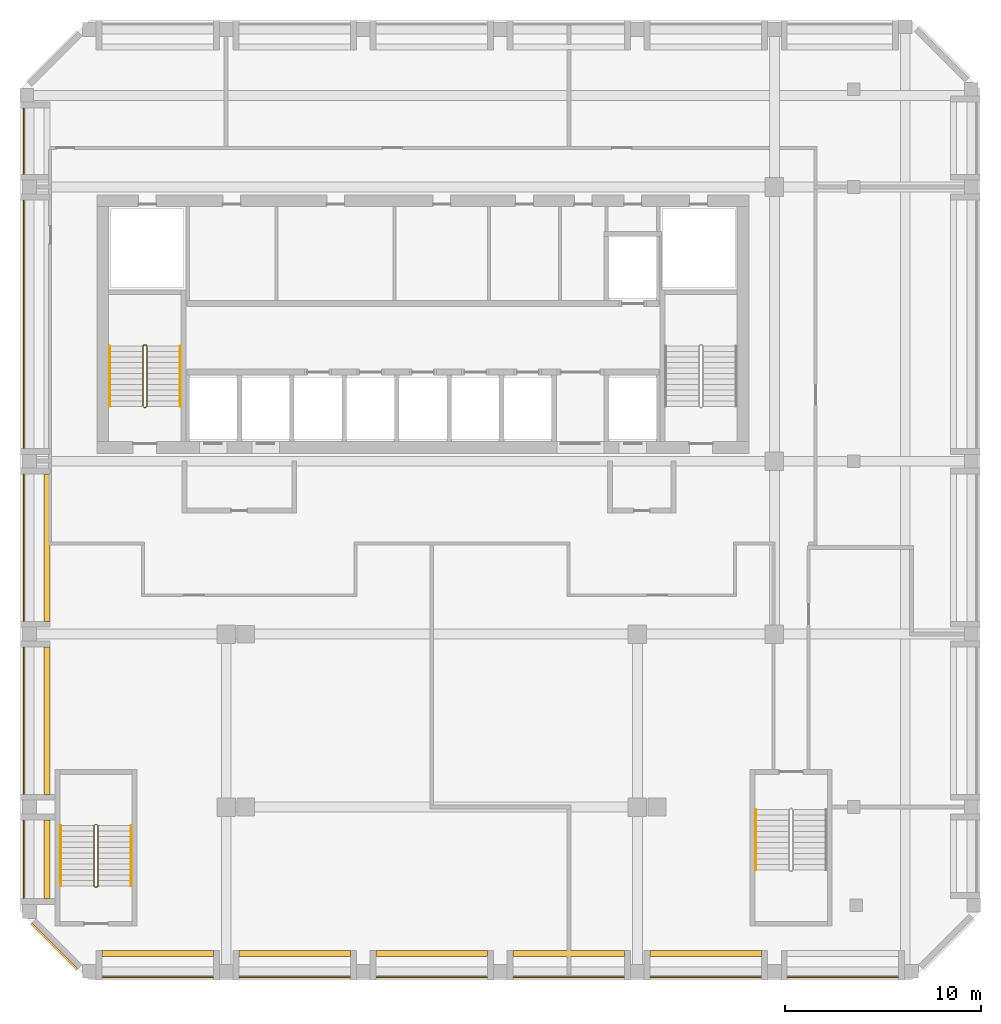
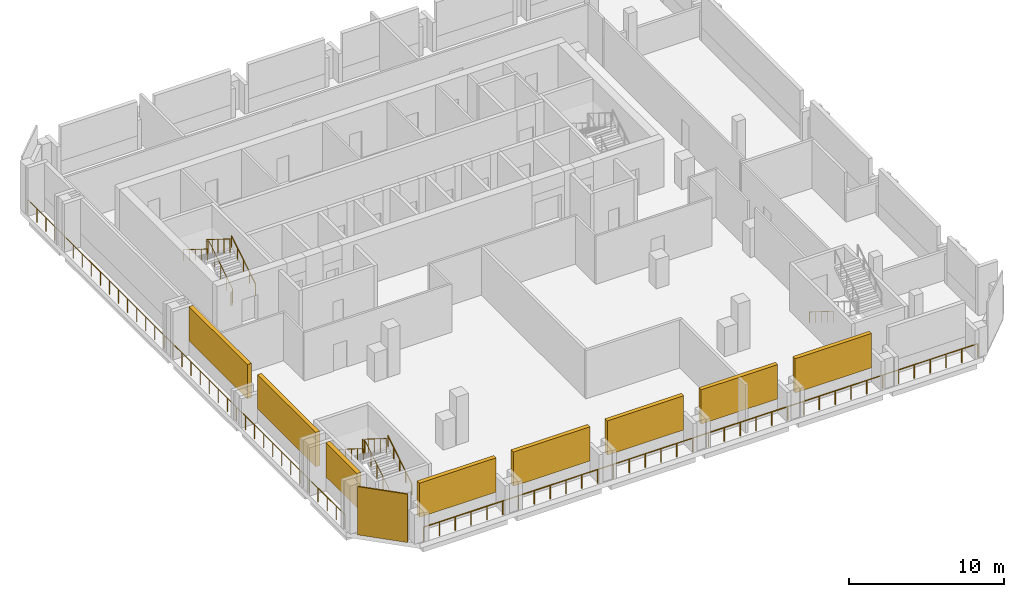
# One storey, part 6 of 7: 9 railings, 9 shading devices.
"""IFC4 building model written with IfcOpenShell, lengths in metres."""

import ifcopenshell
import ifcopenshell.guid

model = None  # the IFC model being written
_history = None  # IfcOwnerHistory: only IFC2X3 demands one
_inside = {}  # id of a spatial element -> (the spatial element, [elements in it])
_under = {}  # id of a project, library or spatial element -> (it, [spatial elements below it])
_declared = {}  # id of a project -> (the project, [libraries it declares])
_typed = {}  # id of a type object -> (the type object, [elements of that type])
_made_of = {}  # id of a material, layer set ... -> (it, [elements and type objects made of it])


def new_model(schema):
    """Start an empty IFC model of exactly this schema.

    Asked for "IFC4X3", IfcOpenShell would pick the latest addendum, in which some entities
    have other attributes; the version numbers below select the first issue.
    IFC2X3 requires an IfcOwnerHistory on every rooted entity: one is made here for all.
    """
    global model, _history
    if schema == "IFC4X3":
        model = ifcopenshell.file(schema_version=(4, 3, 0, 0))
    else:
        model = ifcopenshell.file(schema=schema)
    _inside.clear()
    _under.clear()
    _declared.clear()
    _typed.clear()
    _made_of.clear()
    _history = None
    if model.schema == "IFC2X3":
        org = make("IfcOrganization", Name="unknown")
        user = make(
            "IfcPersonAndOrganization",
            ThePerson=make("IfcPerson", FamilyName="unknown"),
            TheOrganization=org,
        )
        app = make(
            "IfcApplication",
            ApplicationDeveloper=org,
            Version="unknown",
            ApplicationFullName="unknown",
            ApplicationIdentifier="unknown",
        )
        _history = make(
            "IfcOwnerHistory",
            OwningUser=user,
            OwningApplication=app,
            ChangeAction="ADDED",
            CreationDate=0,
        )
    return model


def make(cls, **values):
    """One entity of the class cls with the attributes given. An attribute that is None is left unset."""
    return model.create_entity(
        cls, **{name: value for name, value in values.items() if value is not None}
    )


def rooted(cls, **values):
    """An entity with a GlobalId (a new one), such as an element, a storey or a relation."""
    return make(cls, GlobalId=ifcopenshell.guid.new(), OwnerHistory=_history, **values)


def si_unit(unit_type, name, prefix=None):
    """IfcSIUnit, for example si_unit("LENGTHUNIT", "METRE", prefix="MILLI")."""
    return make("IfcSIUnit", UnitType=unit_type, Prefix=prefix, Name=name)


def assignment(units):
    """IfcUnitAssignment: the units of a project."""
    return None if units is None else make("IfcUnitAssignment", Units=units)


def point(xyz):
    """IfcCartesianPoint."""
    return None if xyz is None else make("IfcCartesianPoint", Coordinates=xyz)


def direction(xyz):
    """IfcDirection."""
    return None if xyz is None else make("IfcDirection", DirectionRatios=xyz)


def frame(location, z_axis=None, x_axis=None):
    """IfcAxis2Placement3D, a coordinate frame: its origin and axes. An axis left out is left unset."""
    return make(
        "IfcAxis2Placement3D",
        Location=point(location),
        Axis=direction(z_axis),
        RefDirection=direction(x_axis),
    )


def frame_2d(location, x_axis=None):
    """IfcAxis2Placement2D, a coordinate frame in the plane: its origin and x axis."""
    return make(
        "IfcAxis2Placement2D", Location=point(location), RefDirection=direction(x_axis)
    )


def origin():
    """The frame at (0, 0, 0) with its axes left unset."""
    return frame((0.0, 0.0, 0.0))


def origin_2d():
    """The frame at (0, 0) in the plane with its x axis left unset."""
    return frame_2d((0.0, 0.0))


def place(relative_to, where):
    """IfcLocalPlacement: puts the frame where relative to a parent placement (None: the world)."""
    return make(
        "IfcLocalPlacement", PlacementRelTo=relative_to, RelativePlacement=where
    )


def context(
    kind, dimensions, precision=None, world=None, true_north=None, identifier=None
):
    """IfcGeometricRepresentationContext, for example the 3D "Model" context."""
    return make(
        "IfcGeometricRepresentationContext",
        ContextIdentifier=identifier,
        ContextType=kind,
        CoordinateSpaceDimension=dimensions,
        Precision=precision,
        WorldCoordinateSystem=world,
        TrueNorth=true_north,
    )


def subcontext(parent, identifier, kind, view, scale=None):
    """IfcGeometricRepresentationSubContext, for example "Body" below "Model"."""
    return make(
        "IfcGeometricRepresentationSubContext",
        ContextIdentifier=identifier,
        ContextType=kind,
        ParentContext=parent,
        TargetScale=scale,
        TargetView=view,
    )


def project(units=None, contexts=None):
    """IfcProject with its units and contexts."""
    return rooted(
        "IfcProject",
        Name="project",
        RepresentationContexts=contexts,
        UnitsInContext=assignment(units),
    )


def spatial(cls, under=None, at=None, **own):
    """A site, building, storey or space (cls), placed at a placement, below another one or the project."""
    s = rooted(cls, ObjectPlacement=at, **own)
    if under is not None:
        _under.setdefault(under.id(), (under, []))[1].append(s)
    return s


def profile(cls, at=None, kind="AREA", **sizes):
    """A parametric profile (cls). Its sizes go by their IFC names, for example OverallWidth=200.0."""
    return make(cls, ProfileType=kind, Position=at, **sizes)


def rectangle(**sizes):
    """IfcRectangleProfileDef."""
    return profile("IfcRectangleProfileDef", **sizes)


def circle(**sizes):
    """IfcCircleProfileDef."""
    return profile("IfcCircleProfileDef", **sizes)


def extrude(swept, where, along, depth):
    """IfcExtrudedAreaSolid: the profile swept, set in the frame where, extruded along a direction by depth."""
    return make(
        "IfcExtrudedAreaSolid",
        SweptArea=swept,
        Position=where,
        ExtrudedDirection=direction(along),
        Depth=depth,
    )


def shape(context_of_items, identifier, shape_type, items):
    """IfcShapeRepresentation: the items that make up one representation, for example the "Body"."""
    return make(
        "IfcShapeRepresentation",
        ContextOfItems=context_of_items,
        RepresentationIdentifier=identifier,
        RepresentationType=shape_type,
        Items=items,
    )


def source(mapping_origin, context_of_items, identifier, shape_type, items):
    """IfcRepresentationMap: a shape defined once, which mapped items show again and again."""
    return make(
        "IfcRepresentationMap",
        MappingOrigin=mapping_origin,
        MappedRepresentation=shape(context_of_items, identifier, shape_type, items),
    )


def transform(
    local_origin,
    x_axis=None,
    y_axis=None,
    z_axis=None,
    scale=None,
    scale2=None,
    scale3=None,
    uniform=True,
):
    """IfcCartesianTransformationOperator3D, or its non-uniform kind. x_axis, y_axis, z_axis: its Axis1, 2, 3."""
    if uniform:
        return make(
            "IfcCartesianTransformationOperator3D",
            Axis1=direction(x_axis),
            Axis2=direction(y_axis),
            LocalOrigin=point(local_origin),
            Scale=scale,
            Axis3=direction(z_axis),
        )
    return make(
        "IfcCartesianTransformationOperator3DnonUniform",
        Axis1=direction(x_axis),
        Axis2=direction(y_axis),
        LocalOrigin=point(local_origin),
        Scale=scale,
        Axis3=direction(z_axis),
        Scale2=scale2,
        Scale3=scale3,
    )


def mapped(mapping_source, mapping_target):
    """IfcMappedItem: shows the shape of a source again, moved by a transform."""
    return make(
        "IfcMappedItem", MappingSource=mapping_source, MappingTarget=mapping_target
    )


def material(Name=None, Category=None):
    """IfcMaterial."""
    return make("IfcMaterial", Name=Name, Category=Category)


def layer(
    of_material, thickness, ventilated=None, Name=None, Category=None, Priority=None
):
    """IfcMaterialLayer: one layer of a wall or slab, of a material (None: an air gap)."""
    return make(
        "IfcMaterialLayer",
        Material=of_material,
        LayerThickness=thickness,
        IsVentilated=ventilated,
        Name=Name,
        Category=Category,
        Priority=Priority,
    )


def layer_set(layers, Name=None):
    """IfcMaterialLayerSet."""
    return make("IfcMaterialLayerSet", MaterialLayers=layers, LayerSetName=Name)


def made_of(thing, what):
    """Note that an element or type object is made of a material, layer set ...; save() writes the relation."""
    if what is not None:
        _made_of.setdefault(what.id(), (what, []))[1].append(thing)
    return thing


def type_object(cls, material=None, **own):
    """A type object (cls), such as IfcWallType, which elements share."""
    return made_of(rooted(cls, **own), material)


def element(
    cls,
    number,
    at=None,
    inside=None,
    cuts=None,
    type_object=None,
    material=None,
    context=None,
    identifier="Body",
    shape_type=None,
    held_by="IfcProductDefinitionShape",
    body=None,
    shapes=None,
    **own,
):
    """One element of the class cls, such as IfcWall. Its Tag is "e" and its number.

    at: its placement. inside: the storey or other place that contains it. cuts: it is an
    opening in that element (IfcRelVoidsElement). A single representation is given by context,
    identifier, shape_type and body (its items); several are given by shapes. held_by: the class
    of the entity that holds the representations. save() writes the other relations.
    """
    e = rooted(cls, Tag="e%d" % number, ObjectPlacement=at, **own)
    if body is not None:
        shapes = [shape(context, identifier, shape_type, body)]
    if shapes is not None:
        e.Representation = make(held_by, Representations=shapes)
    if inside is not None:
        _inside.setdefault(inside.id(), (inside, []))[1].append(e)
    if cuts is not None:
        rooted(
            "IfcRelVoidsElement", RelatingBuildingElement=cuts, RelatedOpeningElement=e
        )
    if type_object is not None:
        _typed.setdefault(type_object.id(), (type_object, []))[1].append(e)
    return made_of(e, material)


def aggregate(whole, parts):
    """IfcRelAggregates: a whole, such as a stair, and the parts it consists of."""
    return rooted("IfcRelAggregates", RelatingObject=whole, RelatedObjects=parts)


def save(model, path):
    """Write the relations noted so far, then the file.

    IfcRelAggregates (storeys below a building ...), IfcRelContainedInSpatialStructure (elements
    in a storey), IfcRelDefinesByType, IfcRelAssociatesMaterial and IfcRelDeclares: one each for
    every whole, place, type object, material and project.
    """
    for whole, parts in _under.values():
        aggregate(whole, parts)
    for where, things in _inside.values():
        rooted(
            "IfcRelContainedInSpatialStructure",
            RelatedElements=things,
            RelatingStructure=where,
        )
    for kind, things in _typed.values():
        rooted("IfcRelDefinesByType", RelatedObjects=things, RelatingType=kind)
    for what, things in _made_of.values():
        rooted("IfcRelAssociatesMaterial", RelatedObjects=things, RelatingMaterial=what)
    for by, libraries in _declared.values():
        rooted("IfcRelDeclares", RelatingContext=by, RelatedDefinitions=libraries)
    model.write(path)


model = new_model("IFC4")

# Units and contexts
model_context = context("Model", 3, precision=1e-05, world=origin(), true_north=direction((0.0, 1.0)))
body_context = subcontext(model_context, "Body", "Model", "MODEL_VIEW")
ifc_project = project(units=[si_unit("LENGTHUNIT", "METRE"), si_unit("AREAUNIT", "SQUARE_METRE"), si_unit("VOLUMEUNIT", "CUBIC_METRE"), si_unit("PLANEANGLEUNIT", "RADIAN"), si_unit("MASSUNIT", "GRAM", prefix="KILO")], contexts=[model_context])

# Site, building, storey
site_placement = place(None, origin())
site = spatial("IfcSite", under=ifc_project, at=site_placement, CompositionType="ELEMENT")
building_placement = place(site_placement, origin())
building = spatial("IfcBuilding", under=site, at=building_placement, Name="Kilnfold Tower and Market Hall", CompositionType="ELEMENT")
storey_placement = place(building_placement, frame((0.0, 0.0, 262.800048828125)))
storey = spatial("IfcBuildingStorey", under=building, at=storey_placement, Name="L64 Plant Transfer Level", CompositionType="ELEMENT", Elevation=262.800048828125)

# Railings
ifc_material_1 = material(Name="Stainless steel 316", Category="steel")
railing_type_1 = type_object("IfcRailingType", Name="CORE STAIR GUARD 1100", PredefinedType="GUARDRAIL", material=ifc_material_1)
railing_1_placement = place(storey_placement, frame((-13.199951171875, 10.75, 0.0)))
element("IfcRailing", 1, at=railing_1_placement, inside=storey, type_object=railing_type_1, Name="L64 Plant Transfer Level ST1 stair guard 1", PredefinedType="GUARDRAIL", context=body_context, shape_type="SweptSolid", body=[
    extrude(circle(Radius=0.02392578125, at=origin_2d()), frame((0.0, 0.0, 1.076171875), z_axis=(1.0, 0.0, 0.0), x_axis=(0.0, 1.0, 0.0)), (0.0, 0.0, 1.0), 0.099853515625),
    extrude(circle(Radius=0.02392578125, at=origin_2d()), frame((0.099853515625, 0.0, 1.076171875), z_axis=(0.265065253269, 0.265065253269, 0.927081885822), x_axis=(-0.707106781187, 0.707106781187, 0.0)), (0.0, 0.0, 1.0), 0.188720703125),
    extrude(circle(Radius=0.02392578125, at=origin_2d()), frame((0.14990234375, 0.050048828125, 1.2509765625), z_axis=(0.0, 0.848009633417, 0.529980812513), x_axis=(-1.0, 0.0, 0.0)), (0.0, 0.0, 1.0), 3.6318359375),
    extrude(circle(Radius=0.02392578125, at=origin_2d()), frame((0.14990234375, 3.1298828125, 3.17578125), z_axis=(-0.707106781187, 0.707106781187, 0.0), x_axis=(-0.707106781187, -0.707106781187, 0.0)), (0.0, 0.0, 1.0), 0.07080078125),
    extrude(circle(Radius=0.02392578125, at=origin_2d()), frame((0.099853515625, 3.179931640625, 3.17578125), z_axis=(-1.0, 0.0, 0.0), x_axis=(0.0, -1.0, 0.0)), (0.0, 0.0, 1.0), 0.099853515625),
    extrude(circle(Radius=0.02392578125, at=origin_2d()), frame((0.0, 3.179931640625, 3.17578125), z_axis=(-0.265065253269, -0.265065253269, 0.927081885822), x_axis=(0.707106781187, -0.707106781187, 0.0)), (0.0, 0.0, 1.0), 0.188720703125),
    extrude(circle(Radius=0.02392578125, at=origin_2d()), frame((-0.050048828125, 3.1298828125, 3.35107421875), z_axis=(0.0, -0.847979421464, 0.530029150871), x_axis=(1.0, 0.0, 0.0)), (0.0, 0.0, 1.0), 3.632080078125),
    extrude(circle(Radius=0.02099609375, at=origin_2d()), origin(), (0.0, 0.0, 1.0), 1.052001953125),
    extrude(circle(Radius=0.02099609375, at=origin_2d()), frame((0.099853515625, 0.0, 0.0)), (0.0, 0.0, 1.0), 1.052001953125),
    extrude(circle(Radius=0.02099609375, at=origin_2d()), frame((0.14990234375, 0.050048828125, 0.175048828125)), (0.0, 0.0, 1.0), 1.052001953125),
    extrude(circle(Radius=0.02099609375, at=origin_2d()), frame((0.14990234375, 0.820068359375, 0.65625)), (0.0, 0.0, 1.0), 1.052001953125),
    extrude(circle(Radius=0.02099609375, at=origin_2d()), frame((0.14990234375, 1.58984375, 1.137451171875)), (0.0, 0.0, 1.0), 1.052001953125),
    extrude(circle(Radius=0.02099609375, at=origin_2d()), frame((0.14990234375, 2.35986328125, 1.61865234375)), (0.0, 0.0, 1.0), 1.052001953125),
    extrude(circle(Radius=0.02099609375, at=origin_2d()), frame((0.14990234375, 3.1298828125, 2.099853515625)), (0.0, 0.0, 1.0), 1.052001953125),
    extrude(circle(Radius=0.02099609375, at=origin_2d()), frame((0.099853515625, 3.179931640625, 2.099853515625)), (0.0, 0.0, 1.0), 1.052001953125),
    extrude(circle(Radius=0.02099609375, at=origin_2d()), frame((0.0, 3.179931640625, 2.099853515625)), (0.0, 0.0, 1.0), 1.052001953125),
    extrude(circle(Radius=0.02099609375, at=origin_2d()), frame((-0.050048828125, 3.1298828125, 2.27490234375)), (0.0, 0.0, 1.0), 1.052001953125),
    extrude(circle(Radius=0.02099609375, at=origin_2d()), frame((-0.050048828125, 2.35986328125, 2.756103515625)), (0.0, 0.0, 1.0), 1.052001953125),
    extrude(circle(Radius=0.02099609375, at=origin_2d()), frame((-0.050048828125, 1.58984375, 3.2373046875)), (0.0, 0.0, 1.0), 1.052001953125),
    extrude(circle(Radius=0.02099609375, at=origin_2d()), frame((-0.050048828125, 0.820068359375, 3.71875)), (0.0, 0.0, 1.0), 1.052001953125),
    extrude(circle(Radius=0.02099609375, at=origin_2d()), frame((-0.050048828125, 0.050048828125, 4.199951171875)), (0.0, 0.0, 1.0), 1.052001953125),
])
railing_2_placement = place(storey_placement, frame((-15.699951171875, -13.75, 0.0)))
element("IfcRailing", 2, at=railing_2_placement, inside=storey, type_object=railing_type_1, Name="L64 Plant Transfer Level ST3 stair guard 1", PredefinedType="GUARDRAIL", context=body_context, shape_type="SweptSolid", body=[
    extrude(circle(Radius=0.02392578125, at=origin_2d()), frame((0.0, 0.0, 1.076171875), z_axis=(1.0, 0.0, 0.0), x_axis=(0.0, 1.0, 0.0)), (0.0, 0.0, 1.0), 0.099853515625),
    extrude(circle(Radius=0.02392578125, at=origin_2d()), frame((0.099853515625, 0.0, 1.076171875), z_axis=(0.265065253269, 0.265065253269, 0.927081885822), x_axis=(-0.707106781187, 0.707106781187, 0.0)), (0.0, 0.0, 1.0), 0.188720703125),
    extrude(circle(Radius=0.02392578125, at=origin_2d()), frame((0.14990234375, 0.050048828125, 1.2509765625), z_axis=(0.0, 0.848009633417, 0.529980812513), x_axis=(-1.0, 0.0, 0.0)), (0.0, 0.0, 1.0), 3.6318359375),
    extrude(circle(Radius=0.02392578125, at=origin_2d()), frame((0.14990234375, 3.1298828125, 3.17578125), z_axis=(-0.707106781187, 0.707106781187, 0.0), x_axis=(-0.707106781187, -0.707106781187, 0.0)), (0.0, 0.0, 1.0), 0.07080078125),
    extrude(circle(Radius=0.02392578125, at=origin_2d()), frame((0.099853515625, 3.179931640625, 3.17578125), z_axis=(-1.0, 0.0, 0.0), x_axis=(0.0, -1.0, 0.0)), (0.0, 0.0, 1.0), 0.099853515625),
    extrude(circle(Radius=0.02392578125, at=origin_2d()), frame((0.0, 3.179931640625, 3.17578125), z_axis=(-0.265065253269, -0.265065253269, 0.927081885822), x_axis=(0.707106781187, -0.707106781187, 0.0)), (0.0, 0.0, 1.0), 0.188720703125),
    extrude(circle(Radius=0.02392578125, at=origin_2d()), frame((-0.050048828125, 3.1298828125, 3.35107421875), z_axis=(0.0, -0.847979421464, 0.530029150871), x_axis=(1.0, 0.0, 0.0)), (0.0, 0.0, 1.0), 3.632080078125),
    extrude(circle(Radius=0.02099609375, at=origin_2d()), origin(), (0.0, 0.0, 1.0), 1.052001953125),
    extrude(circle(Radius=0.02099609375, at=origin_2d()), frame((0.099853515625, 0.0, 0.0)), (0.0, 0.0, 1.0), 1.052001953125),
    extrude(circle(Radius=0.02099609375, at=origin_2d()), frame((0.14990234375, 0.050048828125, 0.175048828125)), (0.0, 0.0, 1.0), 1.052001953125),
    extrude(circle(Radius=0.02099609375, at=origin_2d()), frame((0.14990234375, 0.820068359375, 0.65625)), (0.0, 0.0, 1.0), 1.052001953125),
    extrude(circle(Radius=0.02099609375, at=origin_2d()), frame((0.14990234375, 1.58984375, 1.137451171875)), (0.0, 0.0, 1.0), 1.052001953125),
    extrude(circle(Radius=0.02099609375, at=origin_2d()), frame((0.14990234375, 2.35986328125, 1.61865234375)), (0.0, 0.0, 1.0), 1.052001953125),
    extrude(circle(Radius=0.02099609375, at=origin_2d()), frame((0.14990234375, 3.1298828125, 2.099853515625)), (0.0, 0.0, 1.0), 1.052001953125),
    extrude(circle(Radius=0.02099609375, at=origin_2d()), frame((0.099853515625, 3.179931640625, 2.099853515625)), (0.0, 0.0, 1.0), 1.052001953125),
    extrude(circle(Radius=0.02099609375, at=origin_2d()), frame((0.0, 3.179931640625, 2.099853515625)), (0.0, 0.0, 1.0), 1.052001953125),
    extrude(circle(Radius=0.02099609375, at=origin_2d()), frame((-0.050048828125, 3.1298828125, 2.27490234375)), (0.0, 0.0, 1.0), 1.052001953125),
    extrude(circle(Radius=0.02099609375, at=origin_2d()), frame((-0.050048828125, 2.35986328125, 2.756103515625)), (0.0, 0.0, 1.0), 1.052001953125),
    extrude(circle(Radius=0.02099609375, at=origin_2d()), frame((-0.050048828125, 1.58984375, 3.2373046875)), (0.0, 0.0, 1.0), 1.052001953125),
    extrude(circle(Radius=0.02099609375, at=origin_2d()), frame((-0.050048828125, 0.820068359375, 3.71875)), (0.0, 0.0, 1.0), 1.052001953125),
    extrude(circle(Radius=0.02099609375, at=origin_2d()), frame((-0.050048828125, 0.050048828125, 4.199951171875)), (0.0, 0.0, 1.0), 1.052001953125),
])
ifc_material_2 = material(Name="Stainless steel 316", Category="steel")
railing_type_2 = type_object("IfcRailingType", Name="CORE STAIR HANDRAIL 900", PredefinedType="HANDRAIL", material=ifc_material_2)
railing_3_placement = place(storey_placement, frame((-11.35009765625, 10.800048828125, 0.175048828125)))
element("IfcRailing", 3, at=railing_3_placement, inside=storey, type_object=railing_type_2, Name="L64 Plant Transfer Level ST1 stair handrail 1", PredefinedType="HANDRAIL", context=body_context, shape_type="SweptSolid", body=[
    extrude(circle(Radius=0.02392578125, at=origin_2d()), frame((0.0, 0.0, 0.8759765625), z_axis=(0.0, 0.848009633417, 0.529980812513), x_axis=(-1.0, 0.0, 0.0)), (0.0, 0.0, 1.0), 3.6318359375),
    extrude(circle(Radius=0.02099609375, at=origin_2d()), origin(), (0.0, 0.0, 1.0), 0.851806640625),
    extrude(circle(Radius=0.02099609375, at=origin_2d()), frame((0.0, 0.77001953125, 0.481201171875)), (0.0, 0.0, 1.0), 0.851806640625),
    extrude(circle(Radius=0.02099609375, at=origin_2d()), frame((0.0, 1.5400390625, 0.96240234375)), (0.0, 0.0, 1.0), 0.851806640625),
    extrude(circle(Radius=0.02099609375, at=origin_2d()), frame((0.0, 2.309814453125, 1.443603515625)), (0.0, 0.0, 1.0), 0.851806640625),
    extrude(circle(Radius=0.02099609375, at=origin_2d()), frame((0.0, 3.079833984375, 1.9248046875)), (0.0, 0.0, 1.0), 0.851806640625),
])
railing_4_placement = place(storey_placement, frame((-14.949951171875, 13.8798828125, 2.27490234375)))
element("IfcRailing", 4, at=railing_4_placement, inside=storey, type_object=railing_type_2, Name="L64 Plant Transfer Level ST1 stair handrail 2", PredefinedType="HANDRAIL", context=body_context, shape_type="SweptSolid", body=[
    extrude(circle(Radius=0.02392578125, at=origin_2d()), frame((0.0, 0.0, 0.8759765625), z_axis=(0.0, -0.847979421464, 0.530029150871), x_axis=(1.0, 0.0, 0.0)), (0.0, 0.0, 1.0), 3.632080078125),
    extrude(circle(Radius=0.02099609375, at=origin_2d()), origin(), (0.0, 0.0, 1.0), 0.851806640625),
    extrude(circle(Radius=0.02099609375, at=origin_2d()), frame((0.0, -0.77001953125, 0.481201171875)), (0.0, 0.0, 1.0), 0.851806640625),
    extrude(circle(Radius=0.02099609375, at=origin_2d()), frame((0.0, -1.5400390625, 0.96240234375)), (0.0, 0.0, 1.0), 0.851806640625),
    extrude(circle(Radius=0.02099609375, at=origin_2d()), frame((0.0, -2.309814453125, 1.44384765625)), (0.0, 0.0, 1.0), 0.851806640625),
    extrude(circle(Radius=0.02099609375, at=origin_2d()), frame((0.0, -3.079833984375, 1.925048828125)), (0.0, 0.0, 1.0), 0.851806640625),
])
railing_5_placement = place(storey_placement, frame((-13.85009765625, -13.699951171875, 0.175048828125)))
element("IfcRailing", 5, at=railing_5_placement, inside=storey, type_object=railing_type_2, Name="L64 Plant Transfer Level ST3 stair handrail 1", PredefinedType="HANDRAIL", context=body_context, shape_type="SweptSolid", body=[
    extrude(circle(Radius=0.02392578125, at=origin_2d()), frame((0.0, 0.0, 0.8759765625), z_axis=(0.0, 0.848009633417, 0.529980812513), x_axis=(-1.0, 0.0, 0.0)), (0.0, 0.0, 1.0), 3.6318359375),
    extrude(circle(Radius=0.02099609375, at=origin_2d()), origin(), (0.0, 0.0, 1.0), 0.851806640625),
    extrude(circle(Radius=0.02099609375, at=origin_2d()), frame((0.0, 0.77001953125, 0.481201171875)), (0.0, 0.0, 1.0), 0.851806640625),
    extrude(circle(Radius=0.02099609375, at=origin_2d()), frame((0.0, 1.5400390625, 0.96240234375)), (0.0, 0.0, 1.0), 0.851806640625),
    extrude(circle(Radius=0.02099609375, at=origin_2d()), frame((0.0, 2.309814453125, 1.443603515625)), (0.0, 0.0, 1.0), 0.851806640625),
    extrude(circle(Radius=0.02099609375, at=origin_2d()), frame((0.0, 3.079833984375, 1.9248046875)), (0.0, 0.0, 1.0), 0.851806640625),
])
railing_6_placement = place(storey_placement, frame((-17.449951171875, -10.6201171875, 2.27490234375)))
element("IfcRailing", 6, at=railing_6_placement, inside=storey, type_object=railing_type_2, Name="L64 Plant Transfer Level ST3 stair handrail 2", PredefinedType="HANDRAIL", context=body_context, shape_type="SweptSolid", body=[
    extrude(circle(Radius=0.02392578125, at=origin_2d()), frame((0.0, 0.0, 0.8759765625), z_axis=(0.0, -0.847979421464, 0.530029150871), x_axis=(1.0, 0.0, 0.0)), (0.0, 0.0, 1.0), 3.632080078125),
    extrude(circle(Radius=0.02099609375, at=origin_2d()), origin(), (0.0, 0.0, 1.0), 0.851806640625),
    extrude(circle(Radius=0.02099609375, at=origin_2d()), frame((0.0, -0.77001953125, 0.481201171875)), (0.0, 0.0, 1.0), 0.851806640625),
    extrude(circle(Radius=0.02099609375, at=origin_2d()), frame((0.0, -1.5400390625, 0.96240234375)), (0.0, 0.0, 1.0), 0.851806640625),
    extrude(circle(Radius=0.02099609375, at=origin_2d()), frame((0.0, -2.309814453125, 1.44384765625)), (0.0, 0.0, 1.0), 0.851806640625),
    extrude(circle(Radius=0.02099609375, at=origin_2d()), frame((0.0, -3.079833984375, 1.925048828125)), (0.0, 0.0, 1.0), 0.851806640625),
])
railing_7_placement = place(storey_placement, frame((18.050048828125, -9.800048828125, 0.175048828125)))
element("IfcRailing", 7, at=railing_7_placement, inside=storey, type_object=railing_type_2, Name="L64 Plant Transfer Level ST4 stair handrail 1", PredefinedType="HANDRAIL", context=body_context, shape_type="SweptSolid", body=[
    extrude(circle(Radius=0.02392578125, at=origin_2d()), frame((0.0, 0.0, 0.8759765625), z_axis=(0.0, -0.848009633417, 0.529980812513), x_axis=(1.0, 0.0, 0.0)), (0.0, 0.0, 1.0), 3.6318359375),
    extrude(circle(Radius=0.02099609375, at=origin_2d()), origin(), (0.0, 0.0, 1.0), 0.851806640625),
    extrude(circle(Radius=0.02099609375, at=origin_2d()), frame((0.0, -0.77001953125, 0.481201171875)), (0.0, 0.0, 1.0), 0.851806640625),
    extrude(circle(Radius=0.02099609375, at=origin_2d()), frame((0.0, -1.5400390625, 0.96240234375)), (0.0, 0.0, 1.0), 0.851806640625),
    extrude(circle(Radius=0.02099609375, at=origin_2d()), frame((0.0, -2.309814453125, 1.443603515625)), (0.0, 0.0, 1.0), 0.851806640625),
    extrude(circle(Radius=0.02099609375, at=origin_2d()), frame((0.0, -3.079833984375, 1.9248046875)), (0.0, 0.0, 1.0), 0.851806640625),
])
ifc_material_3 = material(Name="Stainless steel and laminated glass", Category="steel")
railing_type_3 = type_object("IfcRailingType", Name="GUARD 1100", PredefinedType="GUARDRAIL", material=ifc_material_3)
railing_8_placement = place(storey_placement, frame((-15.64990234375, -18.35009765625, 0.0)))
element("IfcRailing", 8, at=railing_8_placement, inside=storey, type_object=railing_type_3, Name="Guard plant edge S L64", PredefinedType="GUARDRAIL", context=body_context, shape_type="SweptSolid", body=[
    extrude(circle(Radius=0.02490234375, at=origin_2d()), frame((0.0, 0.0, 1.0751953125), z_axis=(1.0, 0.0, 0.0), x_axis=(0.0, 1.0, 0.0)), (0.0, 0.0, 1.0), 41.2998046875),
    extrude(circle(Radius=0.02490234375, at=origin_2d()), origin(), (0.0, 0.0, 1.0), 1.050048828125),
    extrude(circle(Radius=0.02490234375, at=origin_2d()), frame((1.179931640625, 0.0, 0.0)), (0.0, 0.0, 1.0), 1.050048828125),
    extrude(circle(Radius=0.02490234375, at=origin_2d()), frame((2.360107421875, 0.0, 0.0)), (0.0, 0.0, 1.0), 1.050048828125),
    extrude(circle(Radius=0.02490234375, at=origin_2d()), frame((3.5400390625, 0.0, 0.0)), (0.0, 0.0, 1.0), 1.050048828125),
    extrude(circle(Radius=0.02490234375, at=origin_2d()), frame((4.719970703125, 0.0, 0.0)), (0.0, 0.0, 1.0), 1.050048828125),
    extrude(circle(Radius=0.02490234375, at=origin_2d()), frame((5.89990234375, 0.0, 0.0)), (0.0, 0.0, 1.0), 1.050048828125),
    extrude(circle(Radius=0.02490234375, at=origin_2d()), frame((7.080078125, 0.0, 0.0)), (0.0, 0.0, 1.0), 1.050048828125),
    extrude(circle(Radius=0.02490234375, at=origin_2d()), frame((8.260009765625, 0.0, 0.0)), (0.0, 0.0, 1.0), 1.050048828125),
    extrude(circle(Radius=0.02490234375, at=origin_2d()), frame((9.43994140625, 0.0, 0.0)), (0.0, 0.0, 1.0), 1.050048828125),
    extrude(circle(Radius=0.02490234375, at=origin_2d()), frame((10.619873046875, 0.0, 0.0)), (0.0, 0.0, 1.0), 1.050048828125),
    extrude(circle(Radius=0.02490234375, at=origin_2d()), frame((11.800048828125, 0.0, 0.0)), (0.0, 0.0, 1.0), 1.050048828125),
    extrude(circle(Radius=0.02490234375, at=origin_2d()), frame((12.97998046875, 0.0, 0.0)), (0.0, 0.0, 1.0), 1.050048828125),
    extrude(circle(Radius=0.02490234375, at=origin_2d()), frame((14.159912109375, 0.0, 0.0)), (0.0, 0.0, 1.0), 1.050048828125),
    extrude(circle(Radius=0.02490234375, at=origin_2d()), frame((15.33984375, 0.0, 0.0)), (0.0, 0.0, 1.0), 1.050048828125),
    extrude(circle(Radius=0.02490234375, at=origin_2d()), frame((16.52001953125, 0.0, 0.0)), (0.0, 0.0, 1.0), 1.050048828125),
    extrude(circle(Radius=0.02490234375, at=origin_2d()), frame((17.699951171875, 0.0, 0.0)), (0.0, 0.0, 1.0), 1.050048828125),
    extrude(circle(Radius=0.02490234375, at=origin_2d()), frame((18.8798828125, 0.0, 0.0)), (0.0, 0.0, 1.0), 1.050048828125),
    extrude(circle(Radius=0.02490234375, at=origin_2d()), frame((20.059814453125, 0.0, 0.0)), (0.0, 0.0, 1.0), 1.050048828125),
    extrude(circle(Radius=0.02490234375, at=origin_2d()), frame((21.239990234375, 0.0, 0.0)), (0.0, 0.0, 1.0), 1.050048828125),
    extrude(circle(Radius=0.02490234375, at=origin_2d()), frame((22.419921875, 0.0, 0.0)), (0.0, 0.0, 1.0), 1.050048828125),
    extrude(circle(Radius=0.02490234375, at=origin_2d()), frame((23.599853515625, 0.0, 0.0)), (0.0, 0.0, 1.0), 1.050048828125),
    extrude(circle(Radius=0.02490234375, at=origin_2d()), frame((24.77978515625, 0.0, 0.0)), (0.0, 0.0, 1.0), 1.050048828125),
    extrude(circle(Radius=0.02490234375, at=origin_2d()), frame((25.9599609375, 0.0, 0.0)), (0.0, 0.0, 1.0), 1.050048828125),
    extrude(circle(Radius=0.02490234375, at=origin_2d()), frame((27.139892578125, 0.0, 0.0)), (0.0, 0.0, 1.0), 1.050048828125),
    extrude(circle(Radius=0.02490234375, at=origin_2d()), frame((28.31982421875, 0.0, 0.0)), (0.0, 0.0, 1.0), 1.050048828125),
    extrude(circle(Radius=0.02490234375, at=origin_2d()), frame((29.499755859375, 0.0, 0.0)), (0.0, 0.0, 1.0), 1.050048828125),
    extrude(circle(Radius=0.02490234375, at=origin_2d()), frame((30.679931640625, 0.0, 0.0)), (0.0, 0.0, 1.0), 1.050048828125),
    extrude(circle(Radius=0.02490234375, at=origin_2d()), frame((31.85986328125, 0.0, 0.0)), (0.0, 0.0, 1.0), 1.050048828125),
    extrude(circle(Radius=0.02490234375, at=origin_2d()), frame((33.039794921875, 0.0, 0.0)), (0.0, 0.0, 1.0), 1.050048828125),
    extrude(circle(Radius=0.02490234375, at=origin_2d()), frame((34.2197265625, 0.0, 0.0)), (0.0, 0.0, 1.0), 1.050048828125),
    extrude(circle(Radius=0.02490234375, at=origin_2d()), frame((35.39990234375, 0.0, 0.0)), (0.0, 0.0, 1.0), 1.050048828125),
    extrude(circle(Radius=0.02490234375, at=origin_2d()), frame((36.579833984375, 0.0, 0.0)), (0.0, 0.0, 1.0), 1.050048828125),
    extrude(circle(Radius=0.02490234375, at=origin_2d()), frame((37.759765625, 0.0, 0.0)), (0.0, 0.0, 1.0), 1.050048828125),
    extrude(circle(Radius=0.02490234375, at=origin_2d()), frame((38.939697265625, 0.0, 0.0)), (0.0, 0.0, 1.0), 1.050048828125),
    extrude(circle(Radius=0.02490234375, at=origin_2d()), frame((40.119873046875, 0.0, 0.0)), (0.0, 0.0, 1.0), 1.050048828125),
    extrude(circle(Radius=0.02490234375, at=origin_2d()), frame((41.2998046875, 0.0, 0.0)), (0.0, 0.0, 1.0), 1.050048828125),
])
railing_9_placement = place(storey_placement, frame((-19.35009765625, 26.331787109375, 0.0)))
element("IfcRailing", 9, at=railing_9_placement, inside=storey, type_object=railing_type_3, Name="Guard plant edge W L64", PredefinedType="GUARDRAIL", context=body_context, shape_type="SweptSolid", body=[
    extrude(circle(Radius=0.02490234375, at=origin_2d()), frame((0.0, 0.0, 1.0751953125), z_axis=(0.0, -1.0, 0.0), x_axis=(1.0, 0.0, 0.0)), (0.0, 0.0, 1.0), 40.981689453125),
    extrude(circle(Radius=0.02490234375, at=origin_2d()), origin(), (0.0, 0.0, 1.0), 1.050048828125),
    extrude(circle(Radius=0.02490234375, at=origin_2d()), frame((0.0, -1.1708984375, 0.0)), (0.0, 0.0, 1.0), 1.050048828125),
    extrude(circle(Radius=0.02490234375, at=origin_2d()), frame((0.0, -2.341796875, 0.0)), (0.0, 0.0, 1.0), 1.050048828125),
    extrude(circle(Radius=0.02490234375, at=origin_2d()), frame((0.0, -3.5126953125, 0.0)), (0.0, 0.0, 1.0), 1.050048828125),
    extrude(circle(Radius=0.02490234375, at=origin_2d()), frame((0.0, -4.68359375, 0.0)), (0.0, 0.0, 1.0), 1.050048828125),
    extrude(circle(Radius=0.02490234375, at=origin_2d()), frame((0.0, -5.8544921875, 0.0)), (0.0, 0.0, 1.0), 1.050048828125),
    extrude(circle(Radius=0.02490234375, at=origin_2d()), frame((0.0, -7.025390625, 0.0)), (0.0, 0.0, 1.0), 1.050048828125),
    extrude(circle(Radius=0.02490234375, at=origin_2d()), frame((0.0, -8.1962890625, 0.0)), (0.0, 0.0, 1.0), 1.050048828125),
    extrude(circle(Radius=0.02490234375, at=origin_2d()), frame((0.0, -9.3671875, 0.0)), (0.0, 0.0, 1.0), 1.050048828125),
    extrude(circle(Radius=0.02490234375, at=origin_2d()), frame((0.0, -10.5380859375, 0.0)), (0.0, 0.0, 1.0), 1.050048828125),
    extrude(circle(Radius=0.02490234375, at=origin_2d()), frame((0.0, -11.708984375, 0.0)), (0.0, 0.0, 1.0), 1.050048828125),
    extrude(circle(Radius=0.02490234375, at=origin_2d()), frame((0.0, -12.8798828125, 0.0)), (0.0, 0.0, 1.0), 1.050048828125),
    extrude(circle(Radius=0.02490234375, at=origin_2d()), frame((0.0, -14.05078125, 0.0)), (0.0, 0.0, 1.0), 1.050048828125),
    extrude(circle(Radius=0.02490234375, at=origin_2d()), frame((0.0, -15.2216796875, 0.0)), (0.0, 0.0, 1.0), 1.050048828125),
    extrude(circle(Radius=0.02490234375, at=origin_2d()), frame((0.0, -16.392578125, 0.0)), (0.0, 0.0, 1.0), 1.050048828125),
    extrude(circle(Radius=0.02490234375, at=origin_2d()), frame((0.0, -17.5634765625, 0.0)), (0.0, 0.0, 1.0), 1.050048828125),
    extrude(circle(Radius=0.02490234375, at=origin_2d()), frame((0.0, -18.734375, 0.0)), (0.0, 0.0, 1.0), 1.050048828125),
    extrude(circle(Radius=0.02490234375, at=origin_2d()), frame((0.0, -19.9052734375, 0.0)), (0.0, 0.0, 1.0), 1.050048828125),
    extrude(circle(Radius=0.02490234375, at=origin_2d()), frame((0.0, -21.076416015625, 0.0)), (0.0, 0.0, 1.0), 1.050048828125),
    extrude(circle(Radius=0.02490234375, at=origin_2d()), frame((0.0, -22.247314453125, 0.0)), (0.0, 0.0, 1.0), 1.050048828125),
    extrude(circle(Radius=0.02490234375, at=origin_2d()), frame((0.0, -23.418212890625, 0.0)), (0.0, 0.0, 1.0), 1.050048828125),
    extrude(circle(Radius=0.02490234375, at=origin_2d()), frame((0.0, -24.589111328125, 0.0)), (0.0, 0.0, 1.0), 1.050048828125),
    extrude(circle(Radius=0.02490234375, at=origin_2d()), frame((0.0, -25.760009765625, 0.0)), (0.0, 0.0, 1.0), 1.050048828125),
    extrude(circle(Radius=0.02490234375, at=origin_2d()), frame((0.0, -26.930908203125, 0.0)), (0.0, 0.0, 1.0), 1.050048828125),
    extrude(circle(Radius=0.02490234375, at=origin_2d()), frame((0.0, -28.101806640625, 0.0)), (0.0, 0.0, 1.0), 1.050048828125),
    extrude(circle(Radius=0.02490234375, at=origin_2d()), frame((0.0, -29.272705078125, 0.0)), (0.0, 0.0, 1.0), 1.050048828125),
    extrude(circle(Radius=0.02490234375, at=origin_2d()), frame((0.0, -30.443603515625, 0.0)), (0.0, 0.0, 1.0), 1.050048828125),
    extrude(circle(Radius=0.02490234375, at=origin_2d()), frame((0.0, -31.614501953125, 0.0)), (0.0, 0.0, 1.0), 1.050048828125),
    extrude(circle(Radius=0.02490234375, at=origin_2d()), frame((0.0, -32.785400390625, 0.0)), (0.0, 0.0, 1.0), 1.050048828125),
    extrude(circle(Radius=0.02490234375, at=origin_2d()), frame((0.0, -33.956298828125, 0.0)), (0.0, 0.0, 1.0), 1.050048828125),
    extrude(circle(Radius=0.02490234375, at=origin_2d()), frame((0.0, -35.127197265625, 0.0)), (0.0, 0.0, 1.0), 1.050048828125),
    extrude(circle(Radius=0.02490234375, at=origin_2d()), frame((0.0, -36.298095703125, 0.0)), (0.0, 0.0, 1.0), 1.050048828125),
    extrude(circle(Radius=0.02490234375, at=origin_2d()), frame((0.0, -37.468994140625, 0.0)), (0.0, 0.0, 1.0), 1.050048828125),
    extrude(circle(Radius=0.02490234375, at=origin_2d()), frame((0.0, -38.639892578125, 0.0)), (0.0, 0.0, 1.0), 1.050048828125),
    extrude(circle(Radius=0.02490234375, at=origin_2d()), frame((0.0, -39.810791015625, 0.0)), (0.0, 0.0, 1.0), 1.050048828125),
    extrude(circle(Radius=0.02490234375, at=origin_2d()), frame((0.0, -40.981689453125, 0.0)), (0.0, 0.0, 1.0), 1.050048828125),
])

# Shading devices
ifc_material_4 = material(Name="Anodised aluminium", Category="aluminium")
shading_device_type_1 = type_object("IfcShadingDeviceType", Name="LOUVRE", PredefinedType="JALOUSIE", material=ifc_material_4)
shared_shape_1 = source(origin(), body_context, "Body", "SweptSolid", [
    extrude(rectangle(XDim=5.699951171875, YDim=0.300048828125, at=origin_2d()), origin(), (0.0, 0.0, 1.0), 2.699951171875),
])
for number, where, z_axis, x_axis, name in (
    (10, (-12.5, -17.14990234375, 1.10009765625), (0.0, 0.0, 1.0), (1.0, 0.0, 0.0), "Plant louvre L64 S"),
    (11, (-5.5, -17.14990234375, 1.10009765625), (0.0, 0.0, 1.0), (1.0, 0.0, 0.0), "Plant louvre L64 S"),
    (12, (1.5, -17.14990234375, 1.10009765625), (0.0, 0.0, 1.0), (1.0, 0.0, 0.0), "Plant louvre L64 S"),
    (13, (8.5, -17.14990234375, 1.10009765625), (0.0, 0.0, 1.0), (1.0, 0.0, 0.0), "Plant louvre L64 S"),
    (14, (15.5, -17.14990234375, 1.10009765625), (0.0, 0.0, 1.0), (1.0, 0.0, 0.0), "Plant louvre L64 S"),
):
    element("IfcShadingDevice", number, at=place(storey_placement, frame(where, z_axis=z_axis, x_axis=x_axis)), inside=storey, type_object=shading_device_type_1, Name=name, ObjectType="LOUVRE", PredefinedType="JALOUSIE", context=body_context, shape_type="MappedRepresentation", body=[
        mapped(shared_shape_1, transform((0.0, 0.0, 0.0))),
    ])
shared_shape_2 = source(origin(), body_context, "Body", "SweptSolid", [
    extrude(rectangle(XDim=7.533447265625, YDim=0.300048828125, at=origin_2d()), origin(), (0.0, 0.0, 1.0), 2.699951171875),
])
shading_device_1_placement = place(storey_placement, frame((-18.14990234375, -5.25, 1.10009765625), z_axis=(0.0, 0.0, 1.0), x_axis=(0.0, -1.0, 0.0)))
element("IfcShadingDevice", 15, at=shading_device_1_placement, inside=storey, type_object=shading_device_type_1, Name="Plant louvre L64 W", ObjectType="LOUVRE", PredefinedType="JALOUSIE", context=body_context, shape_type="MappedRepresentation", body=[
    mapped(shared_shape_2, transform((0.0, 0.0, 0.0))),
])
shared_shape_3 = source(origin(), body_context, "Body", "SweptSolid", [
    extrude(rectangle(XDim=7.533203125, YDim=0.300048828125, at=origin_2d()), origin(), (0.0, 0.0, 1.0), 2.699951171875),
])
shading_device_2_placement = place(storey_placement, frame((-18.14990234375, 3.583251953125, 1.10009765625), z_axis=(0.0, 0.0, 1.0), x_axis=(0.0, -1.0, 0.0)))
element("IfcShadingDevice", 16, at=shading_device_2_placement, inside=storey, type_object=shading_device_type_1, Name="Plant louvre L64 W", ObjectType="LOUVRE", PredefinedType="JALOUSIE", context=body_context, shape_type="MappedRepresentation", body=[
    mapped(shared_shape_3, transform((0.0, 0.0, 0.0))),
])
shared_shape_4 = source(origin(), body_context, "Body", "SweptSolid", [
    extrude(rectangle(XDim=4.033203125, YDim=0.300048828125, at=origin_2d()), origin(), (0.0, 0.0, 1.0), 2.699951171875),
])
shading_device_3_placement = place(storey_placement, frame((-18.14990234375, -12.333251953125, 1.10009765625), z_axis=(0.0, 0.0, 1.0), x_axis=(0.0, -1.0, 0.0)))
element("IfcShadingDevice", 17, at=shading_device_3_placement, inside=storey, type_object=shading_device_type_1, Name="Plant louvre L64 W", ObjectType="LOUVRE", PredefinedType="JALOUSIE", context=body_context, shape_type="MappedRepresentation", body=[
    mapped(shared_shape_4, transform((0.0, 0.0, 0.0))),
])
ifc_material_5 = material(Name="Terracotta", Category="masonry")
ifc_layer = layer(ifc_material_5, 0.10009765625)
ifc_layer_set = layer_set([ifc_layer], Name="Terracotta")
shading_device_type_2 = type_object("IfcShadingDeviceType", Name="TERRACOTTA SCREEN 100", PredefinedType="USERDEFINED", material=ifc_layer_set)
shared_shape_5 = source(origin(), body_context, "Body", "SweptSolid", [
    extrude(rectangle(XDim=3.323486328125, YDim=0.10009765625, at=origin_2d()), origin(), (0.0, 0.0, 1.0), 3.800048828125),
])
shading_device_4_placement = place(storey_placement, frame((-17.785400390625, -16.785400390625, 0.0), z_axis=(0.0, 0.0, 1.0), x_axis=(0.707106781187, -0.707106781187, 0.0)))
element("IfcShadingDevice", 18, at=shading_device_4_placement, inside=storey, type_object=shading_device_type_2, Name="Plant screen L64 SW", ObjectType="SCREEN", PredefinedType="USERDEFINED", context=body_context, shape_type="MappedRepresentation", body=[
    mapped(shared_shape_5, transform((0.0, 0.0, 0.0))),
])

save(model, "model.ifc")
